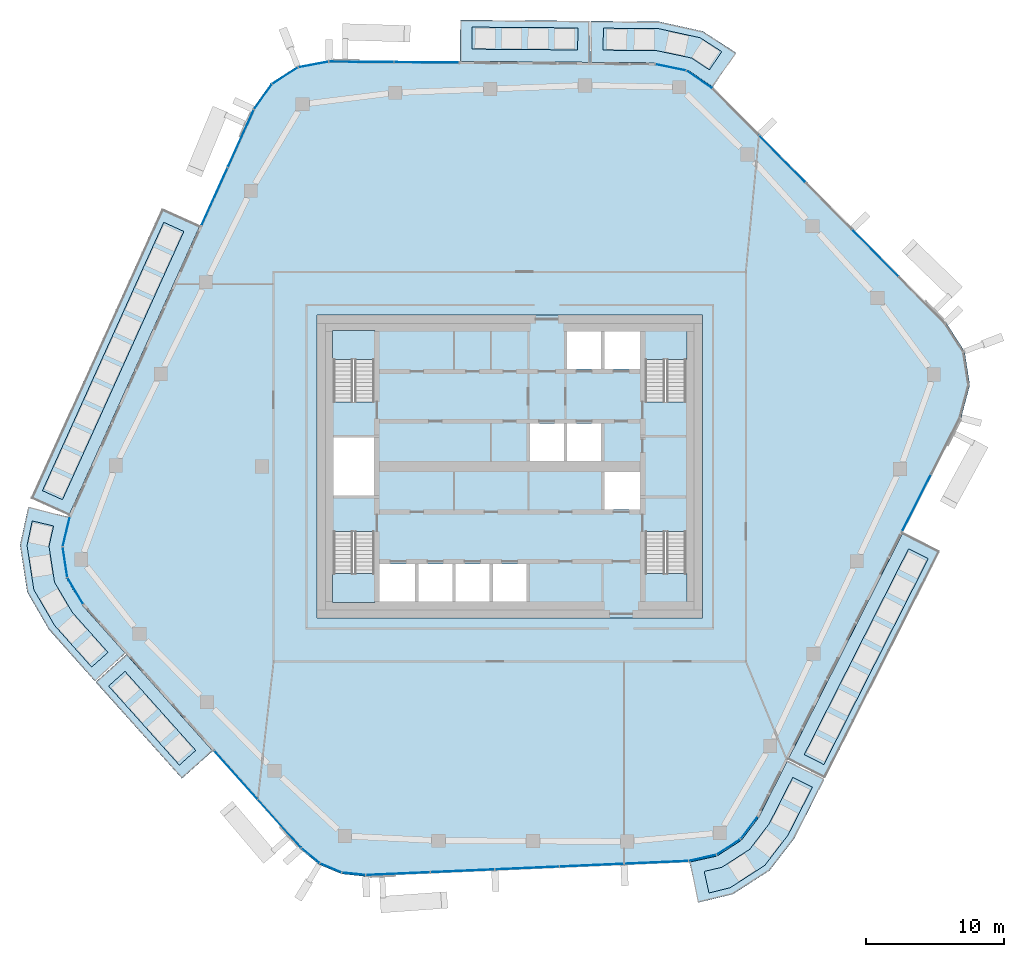
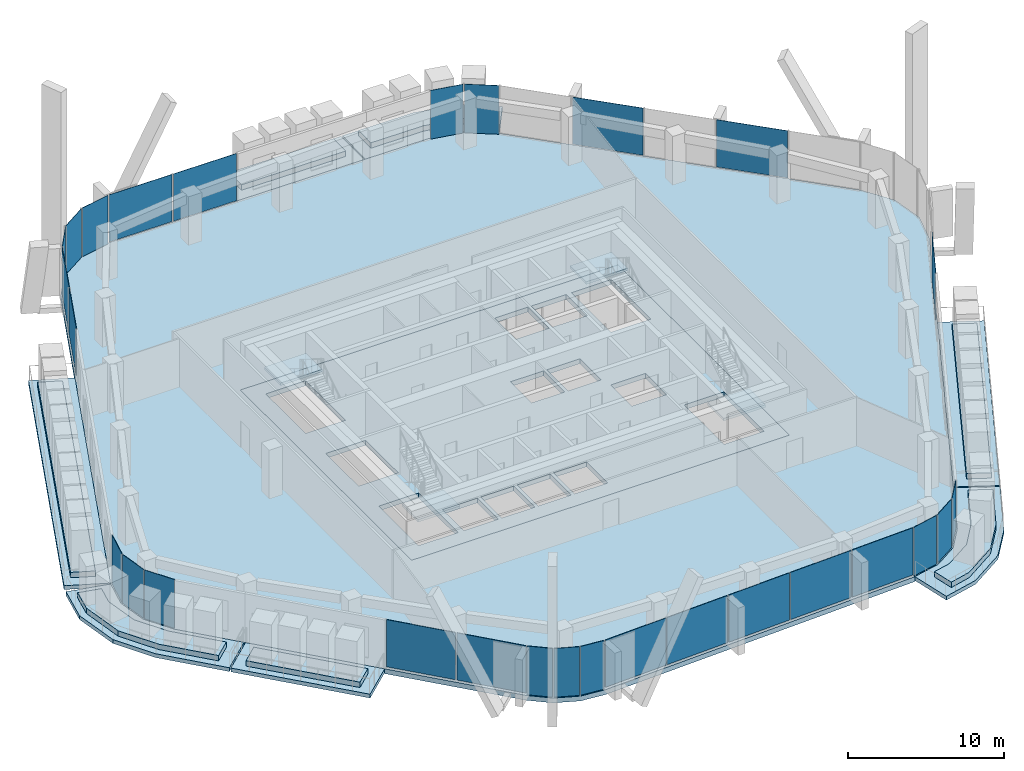
# One storey, part 11 of 23: 28 plates, 20 slabs, 15 elements without a shape of their own.
"""IFC4 building model written with IfcOpenShell, lengths in metres."""

from ifc_helpers import new_model, si_unit, direction, frame, origin, origin_2d, place, context, subcontext, project, spatial, polyline, rectangle, outline, extrude, material, layer, layer_set, type_object, element, aggregate, save


model = new_model("IFC4")

# Units and contexts
model_context = context("Model", 3, precision=1e-05, world=origin(), true_north=direction((0.0, 1.0)))
body_context = subcontext(model_context, "Body", "Model", "MODEL_VIEW")
ifc_project = project(units=[si_unit("LENGTHUNIT", "METRE"), si_unit("AREAUNIT", "SQUARE_METRE"), si_unit("VOLUMEUNIT", "CUBIC_METRE"), si_unit("PLANEANGLEUNIT", "RADIAN"), si_unit("MASSUNIT", "GRAM", prefix="KILO")], contexts=[model_context])

# Site, building, storey
site_placement = place(None, origin())
site = spatial("IfcSite", under=ifc_project, at=site_placement, CompositionType="ELEMENT")
building_placement = place(site_placement, origin())
building = spatial("IfcBuilding", under=site, at=building_placement, Name="Dongbaek Canopy Tower", CompositionType="ELEMENT")
storey_placement = place(building_placement, frame((0.0, 0.0, 319.39990234375)))
storey = spatial("IfcBuildingStorey", under=building, at=storey_placement, Name="L68", CompositionType="ELEMENT", Elevation=319.39990234375)

# Slabs
ifc_material_1 = material(Name="Concrete C40/50", Category="concrete")
ifc_layer_1 = layer(ifc_material_1, 0.300048828125)
ifc_layer_set_1 = layer_set([ifc_layer_1], Name="Balcony slab 300")
slab_type_1 = type_object("IfcSlabType", Name="Balcony slab 300", PredefinedType="FLOOR", material=ifc_layer_set_1)
slab_1_placement = place(storey_placement, frame((0.0, 0.0, -0.2998046875)))
element("IfcSlab", 1, at=slab_1_placement, inside=storey, type_object=slab_type_1, Name="Balcony L68 1", PredefinedType="FLOOR", context=body_context, shape_type="SweptSolid", body=[
    extrude(outline(polyline([(5.77734375, 29.36767578125), (-3.613037109375, 29.440673828125), (-3.58984375, 32.440673828125), (5.80078125, 32.36767578125), (5.77734375, 29.36767578125)])), origin(), (0.0, 0.0, 1.0), 0.2998046875),
])
slab_2_placement = place(storey_placement, frame((0.0, 0.0, -0.2998046875)))
element("IfcSlab", 2, at=slab_2_placement, inside=storey, type_object=slab_type_1, Name="Balcony L68 5", PredefinedType="FLOOR", context=body_context, shape_type="SweptSolid", body=[
    extrude(outline(polyline([(14.750732421875, 27.57763671875), (12.859130859375, 28.8583984375), (10.57275390625, 29.330322265625), (5.87744140625, 29.366943359375), (5.90087890625, 32.366943359375), (10.88916015625, 32.313720703125), (14.025634765625, 31.622314453125), (16.432861328125, 30.061767578125), (14.750732421875, 27.57763671875)])), origin(), (0.0, 0.0, 1.0), 0.2998046875),
])
slab_3_placement = place(storey_placement, frame((0.0, 0.0, -0.2998046875)))
element("IfcSlab", 3, at=slab_3_placement, inside=storey, type_object=slab_type_1, Name="Balcony L68 2", PredefinedType="FLOOR", context=body_context, shape_type="SweptSolid", body=[
    extrude(outline(polyline([(-22.5107421875, 17.49072265625), (-32.026611328125, -3.54736328125), (-34.760009765625, -2.31103515625), (-25.244140625, 18.72705078125), (-22.5107421875, 17.49072265625)])), origin(), (0.0, 0.0, 1.0), 0.2998046875),
])
slab_4_placement = place(storey_placement, frame((0.0, 0.0, -0.2998046875)))
element("IfcSlab", 4, at=slab_4_placement, inside=storey, type_object=slab_type_1, Name="Balcony L68 3", PredefinedType="FLOOR", context=body_context, shape_type="SweptSolid", body=[
    extrude(outline(polyline([(-27.848388671875, -13.645751953125), (-21.575927734375, -20.65478515625), (-23.811279296875, -22.6552734375), (-30.083984375, -15.646484375), (-27.848388671875, -13.645751953125)])), origin(), (0.0, 0.0, 1.0), 0.2998046875),
])
slab_5_placement = place(storey_placement, frame((0.0, 0.0, -0.2998046875)))
element("IfcSlab", 5, at=slab_5_placement, inside=storey, type_object=slab_type_1, Name="Balcony L68 6", PredefinedType="FLOOR", context=body_context, shape_type="SweptSolid", body=[
    extrude(outline(polyline([(-32.05859375, -3.6416015625), (-32.57568359375, -5.82666015625), (-32.226806640625, -8.09521484375), (-31.051513671875, -10.06689453125), (-27.9150390625, -13.5712890625), (-30.150634765625, -15.572021484375), (-33.46875, -11.843505859375), (-35.0498046875, -9.110107421875), (-35.5732421875, -5.70703125), (-34.97802734375, -2.950927734375), (-32.05859375, -3.6416015625)])), origin(), (0.0, 0.0, 1.0), 0.2998046875),
])
slab_6_placement = place(storey_placement, frame((0.0, 0.0, -0.2998046875)))
element("IfcSlab", 6, at=slab_6_placement, inside=storey, type_object=slab_type_1, Name="Balcony L68 4", PredefinedType="FLOOR", context=body_context, shape_type="SweptSolid", body=[
    extrude(outline(polyline([(20.214111328125, -21.2763671875), (28.56201171875, -4.800537109375), (31.238037109375, -6.156494140625), (22.89013671875, -22.63232421875), (20.214111328125, -21.2763671875)])), origin(), (0.0, 0.0, 1.0), 0.2998046875),
])
slab_7_placement = place(storey_placement, frame((0.0, 0.0, -0.2998046875)))
element("IfcSlab", 7, at=slab_7_placement, inside=storey, type_object=slab_type_1, Name="Balcony L68 7", PredefinedType="FLOOR", context=body_context, shape_type="SweptSolid", body=[
    extrude(outline(polyline([(13.05126953125, -28.73388671875), (15.05712890625, -28.285400390625), (16.82666015625, -27.144287109375), (18.09326171875, -25.462158203125), (20.1689453125, -21.365478515625), (22.844970703125, -22.721435546875), (20.639404296875, -27.048583984375), (18.86962890625, -29.34130859375), (16.21533203125, -31.052734375), (13.705810546875, -31.66162109375), (13.05126953125, -28.73388671875)])), origin(), (0.0, 0.0, 1.0), 0.2998046875),
])

# Curtain wall, plates
ifc_material_2 = material(Name="Aluminium 6063-T6 pale anodised", Category="aluminium")
ifc_layer_2 = layer(ifc_material_2, 0.199951171875)
ifc_layer_set_2 = layer_set([ifc_layer_2], Name="CW-1 unitised tower curtain wall")
curtain_wall_type = type_object("IfcCurtainWallType", Name="CW-1 unitised tower curtain wall", PredefinedType="NOTDEFINED", material=ifc_layer_set_2)
curtain_wall_1_placement = place(storey_placement, origin())
curtain_wall_1 = element("IfcCurtainWall", 8, at=curtain_wall_1_placement, inside=storey, type_object=curtain_wall_type, Name="CW-1 curtain wall F0.1", PredefinedType="NOTDEFINED")
ifc_material_3 = material(Name="Clear laminated glass", Category="glass")
ifc_layer_3 = layer(ifc_material_3, 0.028076171875)
ifc_layer_set_3 = layer_set([ifc_layer_3], Name="CW-1 glazed panel 28")
plate_type = type_object("IfcPlateType", Name="CW-1 glazed panel 28", PredefinedType="CURTAIN_PANEL", material=ifc_layer_set_3)
plate_1_placement = place(storey_placement, frame((26.552978515625, 15.5146484375, 0.1201171875), z_axis=(0.0, 0.0, 1.0), x_axis=(-0.703156354287, 0.711035260325, 0.0)))
plate_1 = element("IfcPlate", 9, at=plate_1_placement, type_object=plate_type, Name="CW-1 panel F0.1.2.1", PredefinedType="CURTAIN_PANEL", context=body_context, shape_type="SweptSolid", body=[
    extrude(rectangle(XDim=4.7236328125, YDim=0.028076171875, at=origin_2d()), origin(), (0.0, 0.0, 1.0), 3.699951171875),
])
plate_2_placement = place(storey_placement, frame((19.7919921875, 22.3515625, 0.1201171875), z_axis=(0.0, 0.0, 1.0), x_axis=(-0.703156354287, 0.711035260325, 0.0)))
plate_2 = element("IfcPlate", 10, at=plate_2_placement, type_object=plate_type, Name="CW-1 panel F0.1.4.1", PredefinedType="CURTAIN_PANEL", context=body_context, shape_type="SweptSolid", body=[
    extrude(rectangle(XDim=4.7236328125, YDim=0.028076171875, at=origin_2d()), origin(), (0.0, 0.0, 1.0), 3.699951171875),
])
aggregate(curtain_wall_1, [plate_1, plate_2])

curtain_wall_2_placement = place(storey_placement, origin())
curtain_wall_2 = element("IfcCurtainWall", 11, at=curtain_wall_2_placement, inside=storey, type_object=curtain_wall_type, Name="CW-1 curtain wall K1.1", PredefinedType="NOTDEFINED")
plate_3_placement = place(storey_placement, frame((13.773681640625, 28.118408203125, 0.0), z_axis=(0.0, 0.0, 1.0), x_axis=(-0.828051778261, 0.560651632049, 0.0)))
plate_3 = element("IfcPlate", 12, at=plate_3_placement, type_object=plate_type, Name="CW-1 panel K1.1.1.1", PredefinedType="CURTAIN_PANEL", context=body_context, shape_type="SweptSolid", body=[
    extrude(rectangle(XDim=2.220947265625, YDim=0.028076171875, at=origin_2d()), origin(), (0.0, 0.0, 1.0), 3.820068359375),
])
plate_4_placement = place(storey_placement, frame((11.690673828125, 28.99755859375, 0.0), z_axis=(0.0, 0.0, 1.0), x_axis=(-0.979349311488, 0.2021754834, 0.0)))
plate_4 = element("IfcPlate", 13, at=plate_4_placement, type_object=plate_type, Name="CW-1 panel K1.1.2.1", PredefinedType="CURTAIN_PANEL", context=body_context, shape_type="SweptSolid", body=[
    extrude(rectangle(XDim=2.220947265625, YDim=0.028076171875, at=origin_2d()), origin(), (0.0, 0.0, 1.0), 3.820068359375),
])
aggregate(curtain_wall_2, [plate_3, plate_4])

curtain_wall_3_placement = place(storey_placement, origin())
curtain_wall_3 = element("IfcCurtainWall", 14, at=curtain_wall_3_placement, inside=storey, type_object=curtain_wall_type, Name="CW-1 curtain wall F1.1", PredefinedType="NOTDEFINED")
plate_5_placement = place(storey_placement, frame((-6.03662109375, 29.359619140625, 0.1201171875), z_axis=(0.0, 0.0, 1.0), x_axis=(-0.999969721279, 0.007781807363, 0.0)))
plate_5 = element("IfcPlate", 15, at=plate_5_placement, type_object=plate_type, Name="CW-1 panel F1.1.1.1", PredefinedType="CURTAIN_PANEL", context=body_context, shape_type="SweptSolid", body=[
    extrude(rectangle(XDim=4.661376953125, YDim=0.028076171875, at=origin_2d()), origin(), (0.0, 0.0, 1.0), 3.699951171875),
])
plate_6_placement = place(storey_placement, frame((-10.777099609375, 29.396484375, 0.1201171875), z_axis=(0.0, 0.0, 1.0), x_axis=(-0.999969721279, 0.007781807363, 0.0)))
plate_6 = element("IfcPlate", 16, at=plate_6_placement, type_object=plate_type, Name="CW-1 panel F1.1.2.1", PredefinedType="CURTAIN_PANEL", context=body_context, shape_type="SweptSolid", body=[
    extrude(rectangle(XDim=4.65185546875, YDim=0.028076171875, at=origin_2d()), origin(), (0.0, 0.0, 1.0), 3.699951171875),
])
aggregate(curtain_wall_3, [plate_5, plate_6])

curtain_wall_4_placement = place(storey_placement, origin())
curtain_wall_4 = element("IfcCurtainWall", 17, at=curtain_wall_4_placement, inside=storey, type_object=curtain_wall_type, Name="CW-1 curtain wall K2.1", PredefinedType="NOTDEFINED")
plate_7_placement = place(storey_placement, frame((-14.2578125, 29.207275390625, 0.0), z_axis=(0.0, 0.0, 1.0), x_axis=(-0.983024896136, -0.183472214729, 0.0)))
plate_7 = element("IfcPlate", 18, at=plate_7_placement, type_object=plate_type, Name="CW-1 panel K2.1.1.1", PredefinedType="CURTAIN_PANEL", context=body_context, shape_type="SweptSolid", body=[
    extrude(rectangle(XDim=2.18017578125, YDim=0.028076171875, at=origin_2d()), origin(), (0.0, 0.0, 1.0), 3.820068359375),
])
plate_8_placement = place(storey_placement, frame((-16.3203125, 28.39208984375, 0.0), z_axis=(0.0, 0.0, 1.0), x_axis=(-0.842377584823, -0.538887747668, 0.0)))
plate_8 = element("IfcPlate", 19, at=plate_8_placement, type_object=plate_type, Name="CW-1 panel K2.1.2.1", PredefinedType="CURTAIN_PANEL", context=body_context, shape_type="SweptSolid", body=[
    extrude(rectangle(XDim=2.17041015625, YDim=0.028076171875, at=origin_2d()), origin(), (0.0, 0.0, 1.0), 3.820068359375),
])
plate_9_placement = place(storey_placement, frame((-17.9248046875, 26.861328125, 0.0), z_axis=(0.0, 0.0, 1.0), x_axis=(-0.578657335452, -0.815570774444, 0.0)))
plate_9 = element("IfcPlate", 20, at=plate_9_placement, type_object=plate_type, Name="CW-1 panel K2.1.3.1", PredefinedType="CURTAIN_PANEL", context=body_context, shape_type="SweptSolid", body=[
    extrude(rectangle(XDim=2.18017578125, YDim=0.028076171875, at=origin_2d()), origin(), (0.0, 0.0, 1.0), 3.820068359375),
])
aggregate(curtain_wall_4, [plate_7, plate_8, plate_9])

curtain_wall_5_placement = place(storey_placement, origin())
curtain_wall_5 = element("IfcCurtainWall", 21, at=curtain_wall_5_placement, inside=storey, type_object=curtain_wall_type, Name="CW-1 curtain wall F2.1", PredefinedType="NOTDEFINED")
plate_10_placement = place(storey_placement, frame((-19.53369140625, 23.829345703125, 0.1201171875), z_axis=(0.0, 0.0, 1.0), x_axis=(-0.412122242389, -0.911128562459, 0.0)))
plate_10 = element("IfcPlate", 22, at=plate_10_placement, type_object=plate_type, Name="CW-1 panel F2.1.1.1", PredefinedType="CURTAIN_PANEL", context=body_context, shape_type="SweptSolid", body=[
    extrude(rectangle(XDim=4.54443359375, YDim=0.028076171875, at=origin_2d()), origin(), (0.0, 0.0, 1.0), 3.699951171875),
])
plate_11_placement = place(storey_placement, frame((-21.443115234375, 19.60791015625, 0.1201171875), z_axis=(0.0, 0.0, 1.0), x_axis=(-0.412122242389, -0.911128562459, 0.0)))
plate_11 = element("IfcPlate", 23, at=plate_11_placement, type_object=plate_type, Name="CW-1 panel F2.1.2.1", PredefinedType="CURTAIN_PANEL", context=body_context, shape_type="SweptSolid", body=[
    extrude(rectangle(XDim=4.553955078125, YDim=0.028076171875, at=origin_2d()), origin(), (0.0, 0.0, 1.0), 3.699951171875),
])
aggregate(curtain_wall_5, [plate_10, plate_11])

curtain_wall_6_placement = place(storey_placement, origin())
curtain_wall_6 = element("IfcCurtainWall", 24, at=curtain_wall_6_placement, inside=storey, type_object=curtain_wall_type, Name="CW-1 curtain wall K3.1", PredefinedType="NOTDEFINED")
plate_12_placement = place(storey_placement, frame((-32.212890625, -4.72802734375, 0.0), z_axis=(0.0, 0.0, 1.0), x_axis=(-0.2302319643, -0.973135778098, 0.0)))
plate_12 = element("IfcPlate", 25, at=plate_12_placement, type_object=plate_type, Name="CW-1 panel K3.1.1.1", PredefinedType="CURTAIN_PANEL", context=body_context, shape_type="SweptSolid", body=[
    extrude(rectangle(XDim=2.18212890625, YDim=0.028076171875, at=origin_2d()), origin(), (0.0, 0.0, 1.0), 3.820068359375),
])
plate_13_placement = place(storey_placement, frame((-32.30224609375, -6.94580078125, 0.0), z_axis=(0.0, 0.0, 1.0), x_axis=(0.152024279653, -0.988376759336, 0.0)))
plate_13 = element("IfcPlate", 26, at=plate_13_placement, type_object=plate_type, Name="CW-1 panel K3.1.2.1", PredefinedType="CURTAIN_PANEL", context=body_context, shape_type="SweptSolid", body=[
    extrude(rectangle(XDim=2.17236328125, YDim=0.028076171875, at=origin_2d()), origin(), (0.0, 0.0, 1.0), 3.820068359375),
])
plate_14_placement = place(storey_placement, frame((-31.550537109375, -9.0341796875, 0.0), z_axis=(0.0, 0.0, 1.0), x_axis=(0.512031447433, -0.858966702987, 0.0)))
plate_14 = element("IfcPlate", 27, at=plate_14_placement, type_object=plate_type, Name="CW-1 panel K3.1.3.1", PredefinedType="CURTAIN_PANEL", context=body_context, shape_type="SweptSolid", body=[
    extrude(rectangle(XDim=2.18212890625, YDim=0.028076171875, at=origin_2d()), origin(), (0.0, 0.0, 1.0), 3.820068359375),
])
aggregate(curtain_wall_6, [plate_12, plate_13, plate_14])

curtain_wall_7_placement = place(storey_placement, origin())
curtain_wall_7 = element("IfcCurtainWall", 28, at=curtain_wall_7_placement, inside=storey, type_object=curtain_wall_type, Name="CW-1 curtain wall F3.1", PredefinedType="NOTDEFINED")
plate_15_placement = place(storey_placement, frame((-19.88330078125, -22.396240234375, 0.1201171875), z_axis=(0.0, 0.0, 1.0), x_axis=(0.666880185022, -0.745164960814, 0.0)))
plate_15 = element("IfcPlate", 29, at=plate_15_placement, type_object=plate_type, Name="CW-1 panel F3.1.1.1", PredefinedType="CURTAIN_PANEL", context=body_context, shape_type="SweptSolid", body=[
    extrude(rectangle(XDim=4.6689453125, YDim=0.028076171875, at=origin_2d()), origin(), (0.0, 0.0, 1.0), 3.699951171875),
])
plate_16_placement = place(storey_placement, frame((-16.716064453125, -25.93505859375, 0.1201171875), z_axis=(0.0, 0.0, 1.0), x_axis=(0.666880185022, -0.745164960814, 0.0)))
plate_16 = element("IfcPlate", 30, at=plate_16_placement, type_object=plate_type, Name="CW-1 panel F3.1.2.1", PredefinedType="CURTAIN_PANEL", context=body_context, shape_type="SweptSolid", body=[
    extrude(rectangle(XDim=4.66162109375, YDim=0.028076171875, at=origin_2d()), origin(), (0.0, 0.0, 1.0), 3.699951171875),
])
aggregate(curtain_wall_7, [plate_15, plate_16])

curtain_wall_8_placement = place(storey_placement, origin())
curtain_wall_8 = element("IfcCurtainWall", 31, at=curtain_wall_8_placement, inside=storey, type_object=curtain_wall_type, Name="CW-1 curtain wall K4.1", PredefinedType="NOTDEFINED")
plate_17_placement = place(storey_placement, frame((-14.464599609375, -28.25927734375, 0.0), z_axis=(0.0, 0.0, 1.0), x_axis=(0.769085282662, -0.63914617107, 0.0)))
plate_17 = element("IfcPlate", 32, at=plate_17_placement, type_object=plate_type, Name="CW-1 panel K4.1.1.1", PredefinedType="CURTAIN_PANEL", context=body_context, shape_type="SweptSolid", body=[
    extrude(rectangle(XDim=1.656005859375, YDim=0.028076171875, at=origin_2d()), origin(), (0.0, 0.0, 1.0), 3.820068359375),
])
plate_18_placement = place(storey_placement, frame((-12.9970703125, -29.151611328125, 0.0), z_axis=(0.0, 0.0, 1.0), x_axis=(0.92160591426, -0.388126962219, 0.0)))
plate_18 = element("IfcPlate", 33, at=plate_18_placement, type_object=plate_type, Name="CW-1 panel K4.1.2.1", PredefinedType="CURTAIN_PANEL", context=body_context, shape_type="SweptSolid", body=[
    extrude(rectangle(XDim=1.648681640625, YDim=0.028076171875, at=origin_2d()), origin(), (0.0, 0.0, 1.0), 3.820068359375),
])
plate_19_placement = place(storey_placement, frame((-11.333251953125, -29.578125, 0.0), z_axis=(0.0, 0.0, 1.0), x_axis=(0.994616667146, -0.103622803641, 0.0)))
plate_19 = element("IfcPlate", 34, at=plate_19_placement, type_object=plate_type, Name="CW-1 panel K4.1.3.1", PredefinedType="CURTAIN_PANEL", context=body_context, shape_type="SweptSolid", body=[
    extrude(rectangle(XDim=1.656005859375, YDim=0.028076171875, at=origin_2d()), origin(), (0.0, 0.0, 1.0), 3.820068359375),
])
aggregate(curtain_wall_8, [plate_17, plate_18, plate_19])

curtain_wall_9_placement = place(storey_placement, origin())
curtain_wall_9 = element("IfcCurtainWall", 35, at=curtain_wall_9_placement, inside=storey, type_object=curtain_wall_type, Name="CW-1 curtain wall F4.1", PredefinedType="NOTDEFINED")
plate_20_placement = place(storey_placement, frame((-8.124267578125, -29.56591796875, 0.1201171875), z_axis=(0.0, 0.0, 1.0), x_axis=(0.999050304484, 0.04357165489, 0.0)))
plate_20 = element("IfcPlate", 36, at=plate_20_placement, type_object=plate_type, Name="CW-1 panel F4.1.1.1", PredefinedType="CURTAIN_PANEL", context=body_context, shape_type="SweptSolid", body=[
    extrude(rectangle(XDim=4.607666015625, YDim=0.028076171875, at=origin_2d()), origin(), (0.0, 0.0, 1.0), 3.699951171875),
])
plate_21_placement = place(storey_placement, frame((-3.433349609375, -29.361328125, 0.1201171875), z_axis=(0.0, 0.0, 1.0), x_axis=(0.999050304484, 0.04357165489, 0.0)))
plate_21 = element("IfcPlate", 37, at=plate_21_placement, type_object=plate_type, Name="CW-1 panel F4.1.2.1", PredefinedType="CURTAIN_PANEL", context=body_context, shape_type="SweptSolid", body=[
    extrude(rectangle(XDim=4.615234375, YDim=0.028076171875, at=origin_2d()), origin(), (0.0, 0.0, 1.0), 3.699951171875),
])
plate_22_placement = place(storey_placement, frame((1.261474609375, -29.15673828125, 0.1201171875), z_axis=(0.0, 0.0, 1.0), x_axis=(0.999050304484, 0.04357165489, 0.0)))
plate_22 = element("IfcPlate", 38, at=plate_22_placement, type_object=plate_type, Name="CW-1 panel F4.1.3.1", PredefinedType="CURTAIN_PANEL", context=body_context, shape_type="SweptSolid", body=[
    extrude(rectangle(XDim=4.615234375, YDim=0.028076171875, at=origin_2d()), origin(), (0.0, 0.0, 1.0), 3.699951171875),
])
plate_23_placement = place(storey_placement, frame((5.9560546875, -28.951904296875, 0.1201171875), z_axis=(0.0, 0.0, 1.0), x_axis=(0.999050304484, 0.04357165489, 0.0)))
plate_23 = element("IfcPlate", 39, at=plate_23_placement, type_object=plate_type, Name="CW-1 panel F4.1.4.1", PredefinedType="CURTAIN_PANEL", context=body_context, shape_type="SweptSolid", body=[
    extrude(rectangle(XDim=4.615234375, YDim=0.028076171875, at=origin_2d()), origin(), (0.0, 0.0, 1.0), 3.699951171875),
])
plate_24_placement = place(storey_placement, frame((10.646240234375, -28.747314453125, 0.1201171875), z_axis=(0.0, 0.0, 1.0), x_axis=(0.999050304484, 0.04357165489, 0.0)))
plate_24 = element("IfcPlate", 40, at=plate_24_placement, type_object=plate_type, Name="CW-1 panel F4.1.5.1", PredefinedType="CURTAIN_PANEL", context=body_context, shape_type="SweptSolid", body=[
    extrude(rectangle(XDim=4.606201171875, YDim=0.028076171875, at=origin_2d()), origin(), (0.0, 0.0, 1.0), 3.699951171875),
])
aggregate(curtain_wall_9, [plate_20, plate_21, plate_22, plate_23, plate_24])

curtain_wall_10_placement = place(storey_placement, origin())
curtain_wall_10 = element("IfcCurtainWall", 41, at=curtain_wall_10_placement, inside=storey, type_object=curtain_wall_type, Name="CW-1 curtain wall K5.1", PredefinedType="NOTDEFINED")
plate_25_placement = place(storey_placement, frame((14.003662109375, -28.41845703125, 0.0), z_axis=(0.0, 0.0, 1.0), x_axis=(0.975906502636, 0.218189133811, 0.0)))
plate_25 = element("IfcPlate", 42, at=plate_25_placement, type_object=plate_type, Name="CW-1 panel K5.1.1.1", PredefinedType="CURTAIN_PANEL", context=body_context, shape_type="SweptSolid", body=[
    extrude(rectangle(XDim=1.994873046875, YDim=0.028076171875, at=origin_2d()), origin(), (0.0, 0.0, 1.0), 3.820068359375),
])
plate_26_placement = place(storey_placement, frame((15.8876953125, -27.630859375, 0.0), z_axis=(0.0, 0.0, 1.0), x_axis=(0.840438394843, 0.541907099486, 0.0)))
plate_26 = element("IfcPlate", 43, at=plate_26_placement, type_object=plate_type, Name="CW-1 panel K5.1.2.1", PredefinedType="CURTAIN_PANEL", context=body_context, shape_type="SweptSolid", body=[
    extrude(rectangle(XDim=1.98583984375, YDim=0.028076171875, at=origin_2d()), origin(), (0.0, 0.0, 1.0), 3.820068359375),
])
plate_27_placement = place(storey_placement, frame((17.3828125, -26.239501953125, 0.0), z_axis=(0.0, 0.0, 1.0), x_axis=(0.60147456013, 0.798891953593, 0.0)))
plate_27 = element("IfcPlate", 44, at=plate_27_placement, type_object=plate_type, Name="CW-1 panel K5.1.3.1", PredefinedType="CURTAIN_PANEL", context=body_context, shape_type="SweptSolid", body=[
    extrude(rectangle(XDim=1.994873046875, YDim=0.028076171875, at=origin_2d()), origin(), (0.0, 0.0, 1.0), 3.820068359375),
])
aggregate(curtain_wall_10, [plate_25, plate_26, plate_27])

# Curtain wall, plate
curtain_wall_11_placement = place(storey_placement, origin())
curtain_wall_11 = element("IfcCurtainWall", 45, at=curtain_wall_11_placement, inside=storey, type_object=curtain_wall_type, Name="CW-1 curtain wall F5.1", PredefinedType="NOTDEFINED")
plate_28_placement = place(storey_placement, frame((29.54443359375, -2.64013671875, 0.1201171875), z_axis=(0.0, 0.0, 1.0), x_axis=(0.451969985266, 0.892033145359, 0.0)))
plate_28 = element("IfcPlate", 46, at=plate_28_placement, type_object=plate_type, Name="CW-1 panel F5.1.1.1", PredefinedType="CURTAIN_PANEL", context=body_context, shape_type="SweptSolid", body=[
    extrude(rectangle(XDim=4.55859375, YDim=0.028076171875, at=origin_2d()), origin(), (0.0, 0.0, 1.0), 3.699951171875),
])
aggregate(curtain_wall_11, [plate_28])

# Slab
ifc_material_4 = material(Name="Concrete C40/50", Category="concrete")
ifc_layer_4 = layer(ifc_material_4, 0.3798828125)
ifc_layer_set_4 = layer_set([ifc_layer_4], Name="Core floor slab 380 Concrete C40/50")
slab_type_2 = type_object("IfcSlabType", Name="Core floor slab 380 Concrete C40/50", PredefinedType="FLOOR", material=ifc_layer_set_4)
slab_8_placement = place(storey_placement, frame((0.0, 0.0, -0.3798828125)))
element("IfcSlab", 47, at=slab_8_placement, inside=storey, type_object=slab_type_2, Name="Core floor slab L68", PredefinedType="FLOOR", context=body_context, shape_type="SweptSolid", body=[
    extrude(outline(polyline([(14.0, -11.0), (14.0, 11.0), (-14.0, 11.0), (-14.0, -11.0), (14.0, -11.0)]), holes=[polyline([(-12.800048828125, 2.10009765625), (-9.85009765625, 2.10009765625), (-9.85009765625, -2.10009765625), (-12.800048828125, -2.10009765625), (-12.800048828125, 2.10009765625)]), polyline([(6.625, 9.800048828125), (6.625, 7.074951171875), (4.175048828125, 7.074951171875), (4.175048828125, 9.800048828125), (6.625, 9.800048828125)]), polyline([(9.449951171875, 7.074951171875), (6.875, 7.074951171875), (6.875, 9.800048828125), (9.449951171875, 9.800048828125), (9.449951171875, 7.074951171875)]), polyline([(1.47509765625, 0.39990234375), (1.47509765625, 3.125), (3.925048828125, 3.125), (3.925048828125, 0.39990234375), (1.47509765625, 0.39990234375)]), polyline([(4.175048828125, 0.39990234375), (4.175048828125, 3.125), (6.625, 3.125), (6.625, 0.39990234375), (4.175048828125, 0.39990234375)]), polyline([(9.449951171875, -3.125), (6.875, -3.125), (6.875, -0.39990234375), (9.449951171875, -0.39990234375), (9.449951171875, -3.125)]), polyline([(-9.449951171875, -7.074951171875), (-6.875, -7.074951171875), (-6.875, -9.800048828125), (-9.449951171875, -9.800048828125), (-9.449951171875, -7.074951171875)]), polyline([(-6.625, -9.800048828125), (-6.625, -7.074951171875), (-4.175048828125, -7.074951171875), (-4.175048828125, -9.800048828125), (-6.625, -9.800048828125)]), polyline([(-3.925048828125, -9.800048828125), (-3.925048828125, -7.074951171875), (-1.47509765625, -7.074951171875), (-1.47509765625, -9.800048828125), (-3.925048828125, -9.800048828125)]), polyline([(-1.22509765625, -9.800048828125), (-1.22509765625, -7.074951171875), (1.22509765625, -7.074951171875), (1.22509765625, -9.800048828125), (-1.22509765625, -9.800048828125)]), polyline([(12.800048828125, 4.70068359375), (12.800048828125, 9.800048828125), (9.85009765625, 9.800048828125), (9.85009765625, 4.70068359375), (12.800048828125, 4.70068359375)]), polyline([(-9.85009765625, 4.70068359375), (-9.85009765625, 9.800048828125), (-12.800048828125, 9.800048828125), (-12.800048828125, 4.70068359375), (-9.85009765625, 4.70068359375)]), polyline([(9.85009765625, -4.70068359375), (9.85009765625, -9.800048828125), (12.800048828125, -9.800048828125), (12.800048828125, -4.70068359375), (9.85009765625, -4.70068359375)]), polyline([(-12.800048828125, -4.70068359375), (-12.800048828125, -9.800048828125), (-9.85009765625, -9.800048828125), (-9.85009765625, -4.70068359375), (-12.800048828125, -4.70068359375)])]), origin(), (0.0, 0.0, 1.0), 0.3798828125),
])

# Stair, slab
ifc_material_5 = material(Name="Concrete C40/50", Category="concrete")
stair_type = type_object("IfcStairType", Name="Core exit stair", PredefinedType="HALF_TURN_STAIR", material=ifc_material_5)
stair_1_placement = place(storey_placement, origin())
stair_1 = element("IfcStair", 48, at=stair_1_placement, inside=storey, type_object=stair_type, Name="L68 exit stair A", PredefinedType="HALF_TURN_STAIR")
ifc_material_6 = material(Name="Concrete C40/50", Category="concrete")
ifc_layer_5 = layer(ifc_material_6, 0.199951171875)
ifc_layer_set_5 = layer_set([ifc_layer_5], Name="Core stair landing 200")
slab_type_3 = type_object("IfcSlabType", Name="Core stair landing 200", PredefinedType="LANDING", material=ifc_layer_set_5)
slab_9_placement = place(storey_placement, frame((0.0, 0.0, 1.900146484375)))
slab_9 = element("IfcSlab", 49, at=slab_9_placement, type_object=slab_type_3, Name="ST-A landing 1", PredefinedType="LANDING", context=body_context, shape_type="SweptSolid", body=[
    extrude(outline(polyline([(12.875, 7.780029296875), (12.875, 9.875), (9.77490234375, 9.875), (9.77490234375, 7.780029296875), (12.875, 7.780029296875)])), origin(), (0.0, 0.0, 1.0), 0.199951171875),
])
aggregate(stair_1, [slab_9])

stair_2_placement = place(storey_placement, origin())
stair_2 = element("IfcStair", 50, at=stair_2_placement, inside=storey, type_object=stair_type, Name="L68 exit stair C", PredefinedType="HALF_TURN_STAIR")
slab_10_placement = place(storey_placement, frame((0.0, 0.0, 1.900146484375)))
slab_10 = element("IfcSlab", 51, at=slab_10_placement, type_object=slab_type_3, Name="ST-C landing 1", PredefinedType="LANDING", context=body_context, shape_type="SweptSolid", body=[
    extrude(outline(polyline([(-9.77490234375, 7.780029296875), (-9.77490234375, 9.875), (-12.875, 9.875), (-12.875, 7.780029296875), (-9.77490234375, 7.780029296875)])), origin(), (0.0, 0.0, 1.0), 0.199951171875),
])
aggregate(stair_2, [slab_10])

stair_3_placement = place(storey_placement, origin())
stair_3 = element("IfcStair", 52, at=stair_3_placement, inside=storey, type_object=stair_type, Name="L68 exit stair B", PredefinedType="HALF_TURN_STAIR")
slab_11_placement = place(storey_placement, frame((0.0, 0.0, 1.900146484375)))
slab_11 = element("IfcSlab", 53, at=slab_11_placement, type_object=slab_type_3, Name="ST-B landing 1", PredefinedType="LANDING", context=body_context, shape_type="SweptSolid", body=[
    extrude(outline(polyline([(9.77490234375, -7.780029296875), (9.77490234375, -9.875), (12.875, -9.875), (12.875, -7.780029296875), (9.77490234375, -7.780029296875)])), origin(), (0.0, 0.0, 1.0), 0.199951171875),
])
aggregate(stair_3, [slab_11])

stair_4_placement = place(storey_placement, origin())
stair_4 = element("IfcStair", 54, at=stair_4_placement, inside=storey, type_object=stair_type, Name="L68 exit stair D", PredefinedType="HALF_TURN_STAIR")
slab_12_placement = place(storey_placement, frame((0.0, 0.0, 1.900146484375)))
slab_12 = element("IfcSlab", 55, at=slab_12_placement, type_object=slab_type_3, Name="ST-D landing 1", PredefinedType="LANDING", context=body_context, shape_type="SweptSolid", body=[
    extrude(outline(polyline([(-12.875, -7.780029296875), (-12.875, -9.875), (-9.77490234375, -9.875), (-9.77490234375, -7.780029296875), (-12.875, -7.780029296875)])), origin(), (0.0, 0.0, 1.0), 0.199951171875),
])
aggregate(stair_4, [slab_12])

# Slabs
ifc_material_7 = material(Name="Concrete C40", Category="concrete")
ifc_layer_6 = layer(ifc_material_7, 0.3798828125)
ifc_layer_set_6 = layer_set([ifc_layer_6], Name="RC FLAT PLATE 380 Concrete C40")
slab_type_4 = type_object("IfcSlabType", Name="RC FLAT PLATE 380 Concrete C40", PredefinedType="FLOOR", material=ifc_layer_set_6)
slab_13_placement = place(storey_placement, frame((0.0, 0.0, -0.3798828125)))
element("IfcSlab", 56, at=slab_13_placement, inside=storey, type_object=slab_type_4, Name="SLAB:L68", PredefinedType="FLOOR", context=body_context, shape_type="SweptSolid", body=[
    extrude(outline(polyline([(18.09326171875, -25.462158203125), (16.826904296875, -27.144287109375), (15.05712890625, -28.285400390625), (13.00244140625, -28.74462890625), (-10.470947265625, -29.768310546875), (-12.2236328125, -29.585693359375), (-13.847900390625, -28.90185546875), (-15.203369140625, -27.775390625), (-31.051513671875, -10.06689453125), (-32.226806640625, -8.09521484375), (-32.57568359375, -5.82666015625), (-32.047119140625, -3.593017578125), (-18.667236328125, 25.98779296875), (-17.340087890625, 27.8583984375), (-15.408203125, 29.09423828125), (-13.15380859375, 29.514892578125), (10.57275390625, 29.330322265625), (12.859130859375, 28.8583984375), (14.792236328125, 27.549560546875), (31.695068359375, 10.457275390625), (33.03662109375, 8.3720703125), (33.42041015625, 5.92236328125), (32.781005859375, 3.526611328125), (18.09326171875, -25.462158203125)]), holes=[polyline([(14.0, 11.0), (-14.0, 11.0), (-14.0, -11.0), (14.0, -11.0), (14.0, 11.0)])]), origin(), (0.0, 0.0, 1.0), 0.3798828125),
])
ifc_material_8 = material(Name="Reinforced concrete C40/50 planter box with soil", Category="concrete")
ifc_layer_7 = layer(ifc_material_8, 0.419921875)
ifc_layer_set_7 = layer_set([ifc_layer_7], Name="Terrace planter box 1600 x 420")
slab_type_5 = type_object("IfcSlabType", Name="Terrace planter box 1600 x 420", PredefinedType="USERDEFINED", material=ifc_layer_set_7)
slab_14_placement = place(storey_placement, origin())
element("IfcSlab", 57, at=slab_14_placement, inside=storey, type_object=slab_type_5, Name="Balcony planter L68 1", ObjectType="PLANTER", PredefinedType="USERDEFINED", context=body_context, shape_type="SweptSolid", body=[
    extrude(outline(polyline([(4.934326171875, 30.264404296875), (-2.75634765625, 30.32421875), (-2.743896484375, 31.924072265625), (4.94677734375, 31.8642578125), (4.934326171875, 30.264404296875)])), origin(), (0.0, 0.0, 1.0), 0.420166015625),
])
slab_15_placement = place(storey_placement, origin())
element("IfcSlab", 58, at=slab_15_placement, inside=storey, type_object=slab_type_5, Name="Balcony planter L68 5", ObjectType="PLANTER", PredefinedType="USERDEFINED", context=body_context, shape_type="SweptSolid", body=[
    extrude(outline(polyline([(14.504638671875, 28.819091796875), (13.205078125, 29.678466796875), (10.66650390625, 30.21533203125), (6.784423828125, 30.25), (6.796875, 31.849853515625), (10.83544921875, 31.806396484375), (13.827392578125, 31.15234375), (15.401611328125, 30.14404296875), (14.504638671875, 28.819091796875)])), origin(), (0.0, 0.0, 1.0), 0.420166015625),
])
slab_16_placement = place(storey_placement, origin())
element("IfcSlab", 59, at=slab_16_placement, inside=storey, type_object=slab_type_5, Name="Balcony planter L68 2", ObjectType="PLANTER", PredefinedType="USERDEFINED", context=body_context, shape_type="SweptSolid", body=[
    extrude(outline(polyline([(-23.671875, 17.0830078125), (-32.487060546875, -2.406005859375), (-33.945068359375, -1.74658203125), (-25.129638671875, 17.742431640625), (-23.671875, 17.0830078125)])), origin(), (0.0, 0.0, 1.0), 0.420166015625),
])
slab_17_placement = place(storey_placement, origin())
element("IfcSlab", 60, at=slab_17_placement, inside=storey, type_object=slab_type_5, Name="Balcony planter L68 3", ObjectType="PLANTER", PredefinedType="USERDEFINED", context=body_context, shape_type="SweptSolid", body=[
    extrude(outline(polyline([(-27.94482421875, -14.872802734375), (-22.805908203125, -20.614990234375), (-23.998291015625, -21.681884765625), (-29.136962890625, -15.939697265625), (-27.94482421875, -14.872802734375)])), origin(), (0.0, 0.0, 1.0), 0.420166015625),
])
slab_18_placement = place(storey_placement, origin())
element("IfcSlab", 61, at=slab_18_placement, inside=storey, type_object=slab_type_5, Name="Balcony planter L68 6", ObjectType="PLANTER", PredefinedType="USERDEFINED", context=body_context, shape_type="SweptSolid", body=[
    extrude(outline(polyline([(-33.132080078125, -4.3125), (-33.46484375, -5.791015625), (-33.064208984375, -8.396240234375), (-31.7685546875, -10.593994140625), (-29.178466796875, -13.494140625), (-30.370849609375, -14.561279296875), (-33.057861328125, -11.54150390625), (-34.56982421875, -8.9375), (-35.063720703125, -5.727294921875), (-34.68896484375, -3.944091796875), (-33.132080078125, -4.3125)])), origin(), (0.0, 0.0, 1.0), 0.420166015625),
])
slab_19_placement = place(storey_placement, origin())
element("IfcSlab", 62, at=slab_19_placement, inside=storey, type_object=slab_type_5, Name="Balcony planter L68 4", ObjectType="PLANTER", PredefinedType="USERDEFINED", context=body_context, shape_type="SweptSolid", body=[
    extrude(outline(polyline([(21.39208984375, -20.92041015625), (28.9716796875, -5.9609375), (30.39892578125, -6.684326171875), (22.8193359375, -21.6435546875), (21.39208984375, -20.92041015625)])), origin(), (0.0, 0.0, 1.0), 0.420166015625),
])
slab_20_placement = place(storey_placement, origin())
element("IfcSlab", 63, at=slab_20_placement, inside=storey, type_object=slab_type_5, Name="Balcony planter L68 7", ObjectType="PLANTER", PredefinedType="USERDEFINED", context=body_context, shape_type="SweptSolid", body=[
    extrude(outline(polyline([(14.123779296875, -29.406005859375), (15.40087890625, -29.106201171875), (17.432861328125, -27.796142578125), (18.8486328125, -25.932861328125), (20.555908203125, -22.570556640625), (21.983154296875, -23.293701171875), (20.20654296875, -26.77880859375), (18.5224609375, -28.9677734375), (16.0185546875, -30.582275390625), (14.472900390625, -30.967529296875), (14.123779296875, -29.406005859375)])), origin(), (0.0, 0.0, 1.0), 0.420166015625),
])

save(model, "model.ifc")
